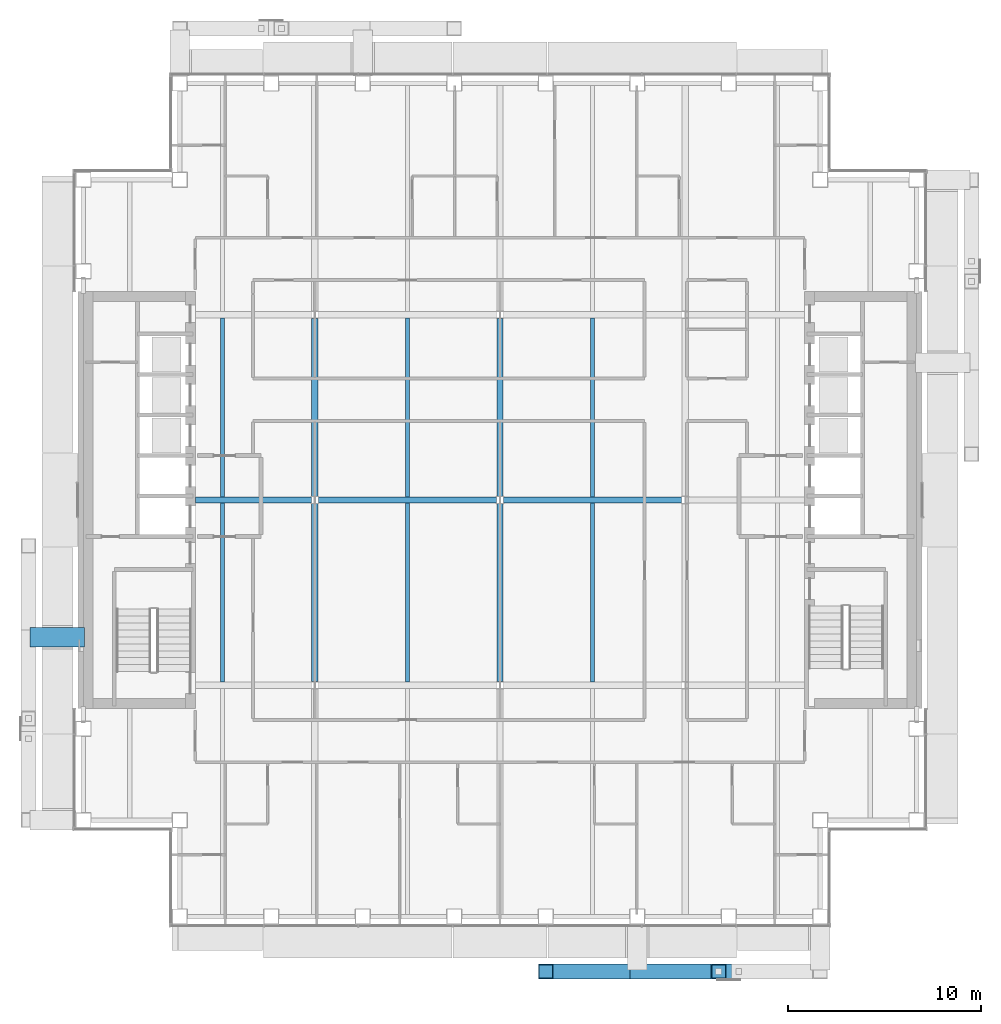
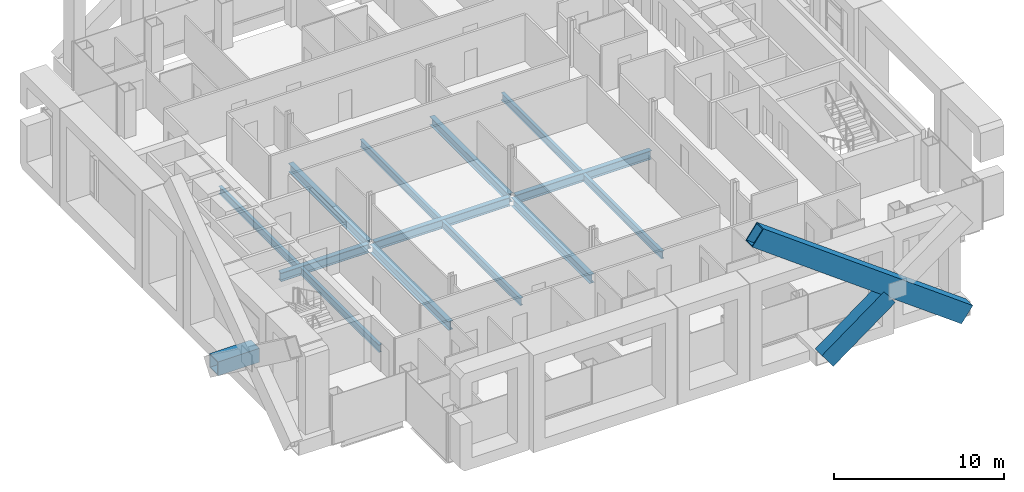
# One storey, part 5 of 22: 14 beams, 2 members.
"""IFC4 building model written with IfcOpenShell, lengths in metres."""

import ifcopenshell
import ifcopenshell.guid

model = None  # the IFC model being written
_history = None  # IfcOwnerHistory: only IFC2X3 demands one
_inside = {}  # id of a spatial element -> (the spatial element, [elements in it])
_under = {}  # id of a project, library or spatial element -> (it, [spatial elements below it])
_declared = {}  # id of a project -> (the project, [libraries it declares])
_typed = {}  # id of a type object -> (the type object, [elements of that type])
_made_of = {}  # id of a material, layer set ... -> (it, [elements and type objects made of it])


def new_model(schema):
    """Start an empty IFC model of exactly this schema.

    Asked for "IFC4X3", IfcOpenShell would pick the latest addendum, in which some entities
    have other attributes; the version numbers below select the first issue.
    IFC2X3 requires an IfcOwnerHistory on every rooted entity: one is made here for all.
    """
    global model, _history
    if schema == "IFC4X3":
        model = ifcopenshell.file(schema_version=(4, 3, 0, 0))
    else:
        model = ifcopenshell.file(schema=schema)
    _inside.clear()
    _under.clear()
    _declared.clear()
    _typed.clear()
    _made_of.clear()
    _history = None
    if model.schema == "IFC2X3":
        org = make("IfcOrganization", Name="unknown")
        user = make(
            "IfcPersonAndOrganization",
            ThePerson=make("IfcPerson", FamilyName="unknown"),
            TheOrganization=org,
        )
        app = make(
            "IfcApplication",
            ApplicationDeveloper=org,
            Version="unknown",
            ApplicationFullName="unknown",
            ApplicationIdentifier="unknown",
        )
        _history = make(
            "IfcOwnerHistory",
            OwningUser=user,
            OwningApplication=app,
            ChangeAction="ADDED",
            CreationDate=0,
        )
    return model


def make(cls, **values):
    """One entity of the class cls with the attributes given. An attribute that is None is left unset."""
    return model.create_entity(
        cls, **{name: value for name, value in values.items() if value is not None}
    )


def rooted(cls, **values):
    """An entity with a GlobalId (a new one), such as an element, a storey or a relation."""
    return make(cls, GlobalId=ifcopenshell.guid.new(), OwnerHistory=_history, **values)


def si_unit(unit_type, name, prefix=None):
    """IfcSIUnit, for example si_unit("LENGTHUNIT", "METRE", prefix="MILLI")."""
    return make("IfcSIUnit", UnitType=unit_type, Prefix=prefix, Name=name)


def assignment(units):
    """IfcUnitAssignment: the units of a project."""
    return None if units is None else make("IfcUnitAssignment", Units=units)


def point(xyz):
    """IfcCartesianPoint."""
    return None if xyz is None else make("IfcCartesianPoint", Coordinates=xyz)


def direction(xyz):
    """IfcDirection."""
    return None if xyz is None else make("IfcDirection", DirectionRatios=xyz)


def frame(location, z_axis=None, x_axis=None):
    """IfcAxis2Placement3D, a coordinate frame: its origin and axes. An axis left out is left unset."""
    return make(
        "IfcAxis2Placement3D",
        Location=point(location),
        Axis=direction(z_axis),
        RefDirection=direction(x_axis),
    )


def frame_2d(location, x_axis=None):
    """IfcAxis2Placement2D, a coordinate frame in the plane: its origin and x axis."""
    return make(
        "IfcAxis2Placement2D", Location=point(location), RefDirection=direction(x_axis)
    )


def origin():
    """The frame at (0, 0, 0) with its axes left unset."""
    return frame((0.0, 0.0, 0.0))


def origin_2d():
    """The frame at (0, 0) in the plane with its x axis left unset."""
    return frame_2d((0.0, 0.0))


def place(relative_to, where):
    """IfcLocalPlacement: puts the frame where relative to a parent placement (None: the world)."""
    return make(
        "IfcLocalPlacement", PlacementRelTo=relative_to, RelativePlacement=where
    )


def context(
    kind, dimensions, precision=None, world=None, true_north=None, identifier=None
):
    """IfcGeometricRepresentationContext, for example the 3D "Model" context."""
    return make(
        "IfcGeometricRepresentationContext",
        ContextIdentifier=identifier,
        ContextType=kind,
        CoordinateSpaceDimension=dimensions,
        Precision=precision,
        WorldCoordinateSystem=world,
        TrueNorth=true_north,
    )


def subcontext(parent, identifier, kind, view, scale=None):
    """IfcGeometricRepresentationSubContext, for example "Body" below "Model"."""
    return make(
        "IfcGeometricRepresentationSubContext",
        ContextIdentifier=identifier,
        ContextType=kind,
        ParentContext=parent,
        TargetScale=scale,
        TargetView=view,
    )


def project(units=None, contexts=None):
    """IfcProject with its units and contexts."""
    return rooted(
        "IfcProject",
        Name="project",
        RepresentationContexts=contexts,
        UnitsInContext=assignment(units),
    )


def spatial(cls, under=None, at=None, **own):
    """A site, building, storey or space (cls), placed at a placement, below another one or the project."""
    s = rooted(cls, ObjectPlacement=at, **own)
    if under is not None:
        _under.setdefault(under.id(), (under, []))[1].append(s)
    return s


def profile(cls, at=None, kind="AREA", **sizes):
    """A parametric profile (cls). Its sizes go by their IFC names, for example OverallWidth=200.0."""
    return make(cls, ProfileType=kind, Position=at, **sizes)


def hollow_rectangle(**sizes):
    """IfcRectangleHollowProfileDef."""
    return profile("IfcRectangleHollowProfileDef", **sizes)


def i_section(**sizes):
    """IfcIShapeProfileDef."""
    return profile("IfcIShapeProfileDef", **sizes)


def extrude(swept, where, along, depth):
    """IfcExtrudedAreaSolid: the profile swept, set in the frame where, extruded along a direction by depth."""
    return make(
        "IfcExtrudedAreaSolid",
        SweptArea=swept,
        Position=where,
        ExtrudedDirection=direction(along),
        Depth=depth,
    )


def shape(context_of_items, identifier, shape_type, items):
    """IfcShapeRepresentation: the items that make up one representation, for example the "Body"."""
    return make(
        "IfcShapeRepresentation",
        ContextOfItems=context_of_items,
        RepresentationIdentifier=identifier,
        RepresentationType=shape_type,
        Items=items,
    )


def material(Name=None, Category=None):
    """IfcMaterial."""
    return make("IfcMaterial", Name=Name, Category=Category)


def material_profile(
    of_material, cross_section, Name=None, Category=None, Priority=None
):
    """IfcMaterialProfile: a cross section and its material."""
    return make(
        "IfcMaterialProfile",
        Name=Name,
        Material=of_material,
        Profile=cross_section,
        Priority=Priority,
        Category=Category,
    )


def profile_set(profiles, Name=None, composite=None):
    """IfcMaterialProfileSet."""
    return make(
        "IfcMaterialProfileSet",
        Name=Name,
        MaterialProfiles=profiles,
        CompositeProfile=composite,
    )


def made_of(thing, what):
    """Note that an element or type object is made of a material, layer set ...; save() writes the relation."""
    if what is not None:
        _made_of.setdefault(what.id(), (what, []))[1].append(thing)
    return thing


def type_object(cls, material=None, **own):
    """A type object (cls), such as IfcWallType, which elements share."""
    return made_of(rooted(cls, **own), material)


def element(
    cls,
    number,
    at=None,
    inside=None,
    cuts=None,
    type_object=None,
    material=None,
    context=None,
    identifier="Body",
    shape_type=None,
    held_by="IfcProductDefinitionShape",
    body=None,
    shapes=None,
    **own,
):
    """One element of the class cls, such as IfcWall. Its Tag is "e" and its number.

    at: its placement. inside: the storey or other place that contains it. cuts: it is an
    opening in that element (IfcRelVoidsElement). A single representation is given by context,
    identifier, shape_type and body (its items); several are given by shapes. held_by: the class
    of the entity that holds the representations. save() writes the other relations.
    """
    e = rooted(cls, Tag="e%d" % number, ObjectPlacement=at, **own)
    if body is not None:
        shapes = [shape(context, identifier, shape_type, body)]
    if shapes is not None:
        e.Representation = make(held_by, Representations=shapes)
    if inside is not None:
        _inside.setdefault(inside.id(), (inside, []))[1].append(e)
    if cuts is not None:
        rooted(
            "IfcRelVoidsElement", RelatingBuildingElement=cuts, RelatedOpeningElement=e
        )
    if type_object is not None:
        _typed.setdefault(type_object.id(), (type_object, []))[1].append(e)
    return made_of(e, material)


def aggregate(whole, parts):
    """IfcRelAggregates: a whole, such as a stair, and the parts it consists of."""
    return rooted("IfcRelAggregates", RelatingObject=whole, RelatedObjects=parts)


def save(model, path):
    """Write the relations noted so far, then the file.

    IfcRelAggregates (storeys below a building ...), IfcRelContainedInSpatialStructure (elements
    in a storey), IfcRelDefinesByType, IfcRelAssociatesMaterial and IfcRelDeclares: one each for
    every whole, place, type object, material and project.
    """
    for whole, parts in _under.values():
        aggregate(whole, parts)
    for where, things in _inside.values():
        rooted(
            "IfcRelContainedInSpatialStructure",
            RelatedElements=things,
            RelatingStructure=where,
        )
    for kind, things in _typed.values():
        rooted("IfcRelDefinesByType", RelatedObjects=things, RelatingType=kind)
    for what, things in _made_of.values():
        rooted("IfcRelAssociatesMaterial", RelatedObjects=things, RelatingMaterial=what)
    for by, libraries in _declared.values():
        rooted("IfcRelDeclares", RelatingContext=by, RelatedDefinitions=libraries)
    model.write(path)


model = new_model("IFC4")

# Units and contexts
model_context = context("Model", 3, precision=1e-05, world=origin(), true_north=direction((0.0, 1.0)))
body_context = subcontext(model_context, "Body", "Model", "MODEL_VIEW")
ifc_project = project(units=[si_unit("LENGTHUNIT", "METRE"), si_unit("AREAUNIT", "SQUARE_METRE"), si_unit("VOLUMEUNIT", "CUBIC_METRE"), si_unit("PLANEANGLEUNIT", "RADIAN"), si_unit("MASSUNIT", "GRAM", prefix="KILO")], contexts=[model_context])

# Site, building, storey
site_placement = place(None, origin())
site = spatial("IfcSite", under=ifc_project, at=site_placement, CompositionType="ELEMENT")
building_placement = place(site_placement, origin())
building = spatial("IfcBuilding", under=site, at=building_placement, Name="Cobrizo Arcos Hotel Tower", CompositionType="ELEMENT")
storey_placement = place(building_placement, frame((0.0, 0.0, 176.0)))
storey = spatial("IfcBuildingStorey", under=building, at=storey_placement, Name="L45", CompositionType="ELEMENT", Elevation=176.0)

# Beam
ifc_material_1 = material(Name="Steel ASTM A572 Grade 50", Category="steel")
ifc_material_profile_1 = material_profile(ifc_material_1, hollow_rectangle(XDim=1.0, YDim=1.0, WallThickness=0.06005859375, at=origin_2d()), Name="BOX 1000X1000X60")
ifc_profile_set_1 = profile_set([ifc_material_profile_1], Name="Steel ASTM A572 Grade 50")
beam_type_1 = type_object("IfcBeamType", Name="BOX 1000X1000X60 brace connector strut", PredefinedType="BEAM", material=ifc_profile_set_1)
beam_1_placement = place(storey_placement, frame((-21.550048828125, -7.1142578125, 0.5), z_axis=(-1.0, 0.0, 0.0), x_axis=(0.0, -1.0, 0.0)))
element("IfcBeam", 1, at=beam_1_placement, inside=storey, type_object=beam_type_1, Name="Perimeter brace stub BS1, zone Z3, west face, offset -7.11 m, L45", PredefinedType="BEAM", context=body_context, shape_type="SweptSolid", body=[
    extrude(hollow_rectangle(XDim=1.0, YDim=1.0, WallThickness=0.06005859375, at=origin_2d()), origin(), (0.0, 0.0, 1.0), 2.820068359375),
])

# Members
ifc_material_profile_2 = material_profile(ifc_material_1, hollow_rectangle(XDim=0.800048828125, YDim=1.300048828125, WallThickness=0.06005859375, at=origin_2d()), Name="BOX 800X1300X60")
ifc_profile_set_2 = profile_set([ifc_material_profile_2], Name="Steel ASTM A572 Grade 50")
member_type = type_object("IfcMemberType", Name="BOX 800X1300X60 perimeter brace", PredefinedType="BRACE", material=ifc_profile_set_2)
member_1_placement = place(storey_placement, frame((16.60009765625, -24.449951171875, 0.5), z_axis=(-0.804632973186, 0.0, 0.593772497225), x_axis=(0.0, -1.0, 0.0)))
element("IfcMember", 2, at=member_1_placement, inside=storey, type_object=member_type, Name="Perimeter brace PBR3, zone Z3, south face, no. 17", PredefinedType="BRACE", context=body_context, shape_type="SweptSolid", body=[
    extrude(hollow_rectangle(XDim=0.800048828125, YDim=1.300048828125, WallThickness=0.06005859375, at=origin_2d()), origin(), (0.0, 0.0, 1.0), 17.68359375),
])
member_2_placement = place(storey_placement, frame((7.1142578125, -24.449951171875, 0.5), z_axis=(0.804623858684, 0.0, 0.593784848271), x_axis=(0.0, 1.0, 0.0)))
element("IfcMember", 3, at=member_2_placement, inside=storey, type_object=member_type, Name="Perimeter brace PBR3, zone Z3, south face, no. 16", PredefinedType="BRACE", context=body_context, shape_type="SweptSolid", body=[
    extrude(hollow_rectangle(XDim=0.800048828125, YDim=1.300048828125, WallThickness=0.06005859375, at=origin_2d()), origin(), (0.0, 0.0, 1.0), 5.244384765625),
])

# Beams
ifc_material_2 = material(Name="Steel ASTM A992 Grade 50", Category="steel")
ifc_material_profile_3 = material_profile(ifc_material_2, i_section(OverallWidth=0.209228515625, OverallDepth=0.533447265625, WebThickness=0.01025390625, FlangeThickness=0.015625, at=origin_2d()), Name="W21X62")
ifc_profile_set_3 = profile_set([ifc_material_profile_3], Name="Steel ASTM A992 Grade 50")
beam_type_2 = type_object("IfcBeamType", Name="W21X62 joist", PredefinedType="JOIST", material=ifc_profile_set_3)
for number, where, z_axis, x_axis, name in (
    (4, (-14.39990234375, -9.43603515625, -0.416748046875), (0.0, 1.0, 0.0), (-1.0, 0.0, 0.0), "Floor joist J1, L45, no. 004"),
    (5, (-14.39990234375, 0.163818359375, -0.416748046875), (0.0, 1.0, 0.0), (-1.0, 0.0, 0.0), "Floor joist J1, L45, no. 005"),
    (6, (-4.800048828125, -9.43603515625, -0.416748046875), (0.0, 1.0, 0.0), (-1.0, 0.0, 0.0), "Floor joist J1, L45, no. 008"),
    (7, (-4.800048828125, 0.163818359375, -0.416748046875), (0.0, 1.0, 0.0), (-1.0, 0.0, 0.0), "Floor joist J1, L45, no. 009"),
    (8, (4.800048828125, -9.43603515625, -0.416748046875), (0.0, 1.0, 0.0), (-1.0, 0.0, 0.0), "Floor joist J1, L45, no. 012"),
    (9, (4.800048828125, 0.163818359375, -0.416748046875), (0.0, 1.0, 0.0), (-1.0, 0.0, 0.0), "Floor joist J1, L45, no. 013"),
):
    element("IfcBeam", number, at=place(storey_placement, frame(where, z_axis=z_axis, x_axis=x_axis)), inside=storey, type_object=beam_type_2, Name=name, PredefinedType="JOIST", context=body_context, shape_type="SweptSolid", body=[
        extrude(i_section(OverallWidth=0.209228515625, OverallDepth=0.533447265625, WebThickness=0.01025390625, FlangeThickness=0.015625, at=origin_2d()), origin(), (0.0, 0.0, 1.0), 9.272216796875),
    ])
ifc_material_profile_4 = material_profile(ifc_material_2, i_section(OverallWidth=0.32763671875, OverallDepth=0.622314453125, WebThickness=0.015380859375, FlangeThickness=0.0244140625, at=origin_2d()), Name="W24X131")
ifc_profile_set_4 = profile_set([ifc_material_profile_4], Name="Steel ASTM A992 Grade 50")
beam_type_3 = type_object("IfcBeamType", Name="W24X131 girder", PredefinedType="BEAM", material=ifc_profile_set_4)
beam_2_placement = place(storey_placement, frame((-15.7900390625, 0.0, -0.461181640625), z_axis=(1.0, 0.0, 0.0), x_axis=(0.0, 1.0, 0.0)))
element("IfcBeam", 10, at=beam_2_placement, inside=storey, type_object=beam_type_3, Name="Floor girder G1, L45, no. 005", PredefinedType="BEAM", context=body_context, shape_type="SweptSolid", body=[
    extrude(i_section(OverallWidth=0.32763671875, OverallDepth=0.622314453125, WebThickness=0.015380859375, FlangeThickness=0.0244140625, at=origin_2d()), origin(), (0.0, 0.0, 1.0), 6.00341796875),
])
for number, where, z_axis, x_axis, name in (
    (11, (-9.413330078125, 0.0, -0.461181640625), (1.0, 0.0, 0.0), (0.0, 1.0, 0.0), "Floor girder G1, L45, no. 006"),
    (12, (0.186767578125, 0.0, -0.461181640625), (1.0, 0.0, 0.0), (0.0, 1.0, 0.0), "Floor girder G1, L45, no. 007"),
    (13, (-9.60009765625, -9.413330078125, -0.461181640625), (0.0, 1.0, 0.0), (-1.0, 0.0, 0.0), "Floor girder G1, L45, no. 014"),
    (14, (-9.60009765625, 0.186767578125, -0.461181640625), (0.0, 1.0, 0.0), (-1.0, 0.0, 0.0), "Floor girder G1, L45, no. 015"),
    (15, (0.0, -9.413330078125, -0.461181640625), (0.0, 1.0, 0.0), (-1.0, 0.0, 0.0), "Floor girder G1, L45, no. 018"),
    (16, (0.0, 0.186767578125, -0.461181640625), (0.0, 1.0, 0.0), (-1.0, 0.0, 0.0), "Floor girder G1, L45, no. 019"),
):
    element("IfcBeam", number, at=place(storey_placement, frame(where, z_axis=z_axis, x_axis=x_axis)), inside=storey, type_object=beam_type_3, Name=name, PredefinedType="BEAM", context=body_context, shape_type="SweptSolid", body=[
        extrude(i_section(OverallWidth=0.32763671875, OverallDepth=0.622314453125, WebThickness=0.015380859375, FlangeThickness=0.0244140625, at=origin_2d()), origin(), (0.0, 0.0, 1.0), 9.2265625),
    ])

save(model, "model.ifc")
